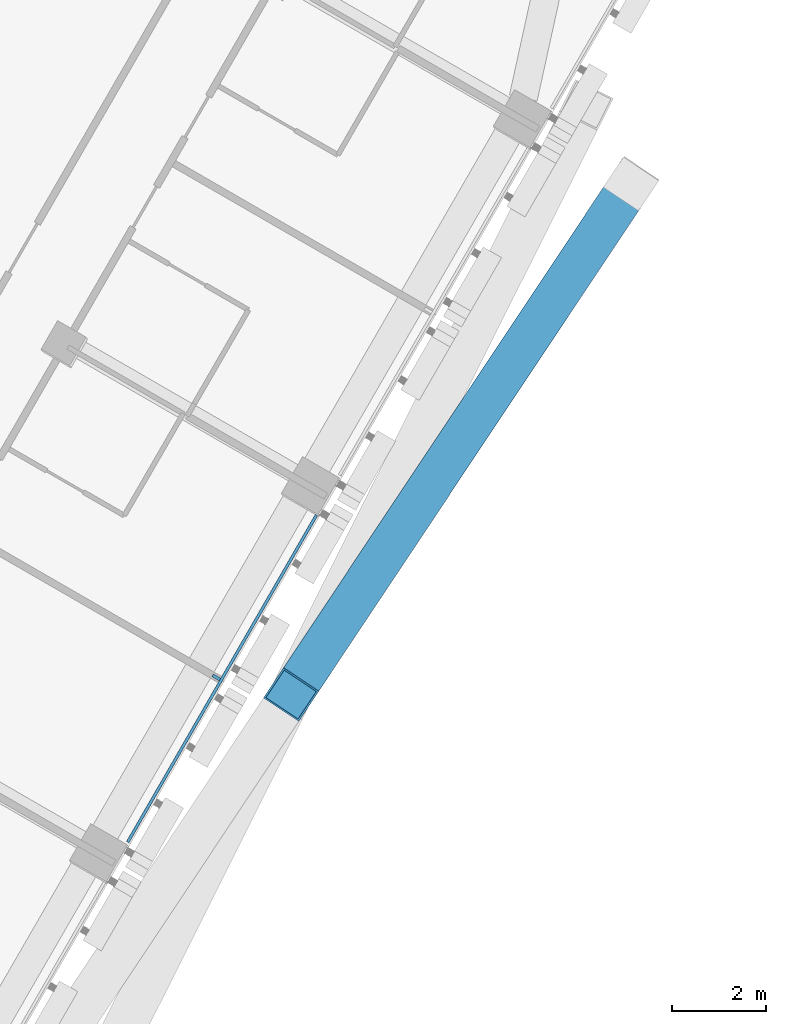
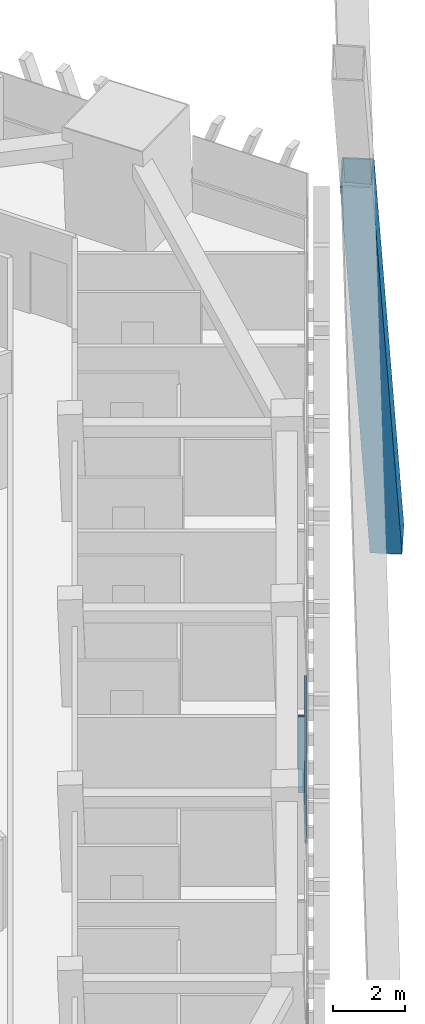
# One storey, part 9 of 24: 3 members, 1 element without a shape of its own.
"""IFC4 building model written with IfcOpenShell, lengths in metres."""

from ifc_helpers import new_model, si_unit, direction, frame, origin, origin_2d, place, context, subcontext, project, spatial, rectangle, hollow_rectangle, extrude, material, layer, layer_set, material_profile, profile_set, type_object, element, aggregate, save


model = new_model("IFC4")

# Units and contexts
model_context = context("Model", 3, precision=1e-05, world=origin(), true_north=direction((0.0, 1.0)))
body_context = subcontext(model_context, "Body", "Model", "MODEL_VIEW")
ifc_project = project(units=[si_unit("LENGTHUNIT", "METRE"), si_unit("AREAUNIT", "SQUARE_METRE"), si_unit("VOLUMEUNIT", "CUBIC_METRE"), si_unit("PLANEANGLEUNIT", "RADIAN"), si_unit("MASSUNIT", "GRAM", prefix="KILO")], contexts=[model_context])

# Site, building, storey
site_placement = place(None, origin())
site = spatial("IfcSite", under=ifc_project, at=site_placement, CompositionType="ELEMENT")
building_placement = place(site_placement, origin())
building = spatial("IfcBuilding", under=site, at=building_placement, Name="Altiplano Prism Tower", CompositionType="ELEMENT")
storey_placement = place(building_placement, frame((0.0, 0.0, 27.0)))
storey = spatial("IfcBuildingStorey", under=building, at=storey_placement, Name="L05", CompositionType="ELEMENT", Elevation=27.0)

# Curtain wall, members
ifc_material_1 = material(Name="Aluminium and glass", Category="aluminium")
ifc_layer = layer(ifc_material_1, 0.280029296875)
ifc_layer_set = layer_set([ifc_layer], Name="Aluminium and glass")
curtain_wall_type = type_object("IfcCurtainWallType", Name="CW1 typical co-living unitised curtain wall", PredefinedType="NOTDEFINED", material=ifc_layer_set)
curtain_wall_placement = place(storey_placement, origin())
curtain_wall = element("IfcCurtainWall", 1, at=curtain_wall_placement, inside=storey, type_object=curtain_wall_type, Name="CW1 curtain wall south-east face L05", PredefinedType="NOTDEFINED")
ifc_material_2 = material(Name="Aluminium", Category="aluminium")
ifc_material_profile_1 = material_profile(ifc_material_2, rectangle(XDim=0.179931640625, YDim=0.06494140625, at=origin_2d()), Name="CW1 mullion 65 x 180")
ifc_profile_set_1 = profile_set([ifc_material_profile_1], Name="Aluminium")
member_type_1 = type_object("IfcMemberType", Name="CW1 mullion 65 x 180", PredefinedType="MULLION", material=ifc_profile_set_1)
member_1_placement = place(storey_placement, frame((103.02197265625, 73.594970703125, 0.0), z_axis=(0.0, 0.0, 1.0), x_axis=(-0.866025403802, 0.49999999997, 0.0)))
member_1 = element("IfcMember", 2, at=member_1_placement, type_object=member_type_1, Name="CW1 mullion", PredefinedType="MULLION", context=body_context, shape_type="SweptSolid", body=[
    extrude(rectangle(XDim=0.179931640625, YDim=0.06494140625, at=origin_2d()), origin(), (0.0, 0.0, 1.0), 2.60009765625),
])
ifc_material_profile_2 = material_profile(ifc_material_2, rectangle(XDim=0.06005859375, YDim=0.080078125, at=origin_2d()), Name="CW1 transom 80 x 60")
ifc_profile_set_2 = profile_set([ifc_material_profile_2], Name="Aluminium")
member_type_2 = type_object("IfcMemberType", Name="CW1 transom 80 x 60", PredefinedType="USERDEFINED", material=ifc_profile_set_2)
member_2_placement = place(storey_placement, frame((101.140625, 70.096435546875, 1.10009765625), z_axis=(0.500012318566, 0.86601829154, 0.0), x_axis=(-0.86601829154, 0.500012318566, 0.0)))
member_2 = element("IfcMember", 3, at=member_2_placement, type_object=member_type_2, Name="CW1 transom", ObjectType="TRANSOM", PredefinedType="USERDEFINED", context=body_context, shape_type="SweptSolid", body=[
    extrude(rectangle(XDim=0.06005859375, YDim=0.080078125, at=origin_2d()), origin(), (0.0, 0.0, 1.0), 8.019775390625),
])
aggregate(curtain_wall, [member_1, member_2])

# Member
ifc_material_3 = material(Name="Steel S355", Category="steel")
ifc_material_profile_3 = material_profile(ifc_material_3, hollow_rectangle(XDim=0.89990234375, YDim=0.89990234375, WallThickness=0.0400390625, at=origin_2d()), Name="Mega brace Box 900x900x40")
ifc_profile_set_3 = profile_set([ifc_material_profile_3], Name="Steel S355")
member_type_3 = type_object("IfcMemberType", Name="Mega brace Box 900x900x40", PredefinedType="BRACE", material=ifc_profile_set_3)
member_3_placement = place(storey_placement, frame((111.830322265625, 84.07421875, -0.815673828125), z_axis=(-0.286512686245, -0.430374672243, 0.855972033487), x_axis=(0.832410551335, -0.554159430152, 0.0)))
element("IfcMember", 4, at=member_3_placement, inside=storey, type_object=member_type_3, Name="Mega brace 1.2.3", PredefinedType="BRACE", context=body_context, shape_type="SweptSolid", body=[
    extrude(hollow_rectangle(XDim=0.89990234375, YDim=0.89990234375, WallThickness=0.0400390625, at=origin_2d()), origin(), (0.0, 0.0, 1.0), 25.1943359375),
])

save(model, "model.ifc")
